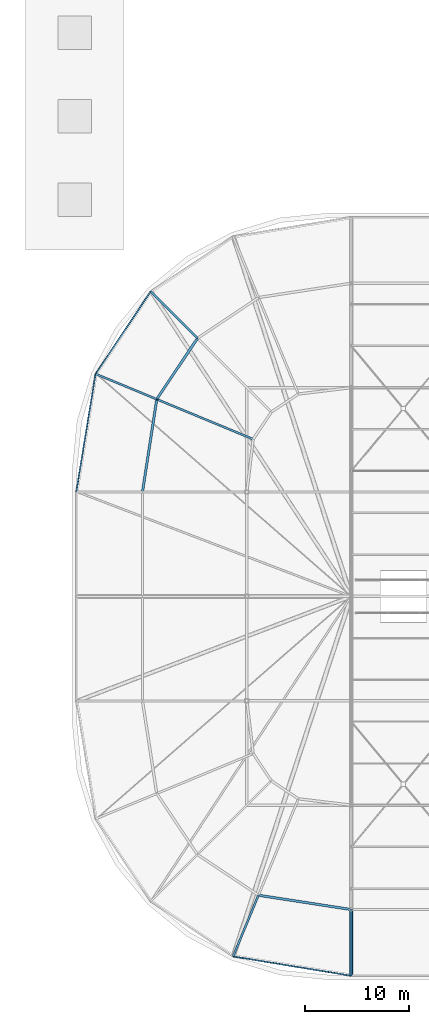
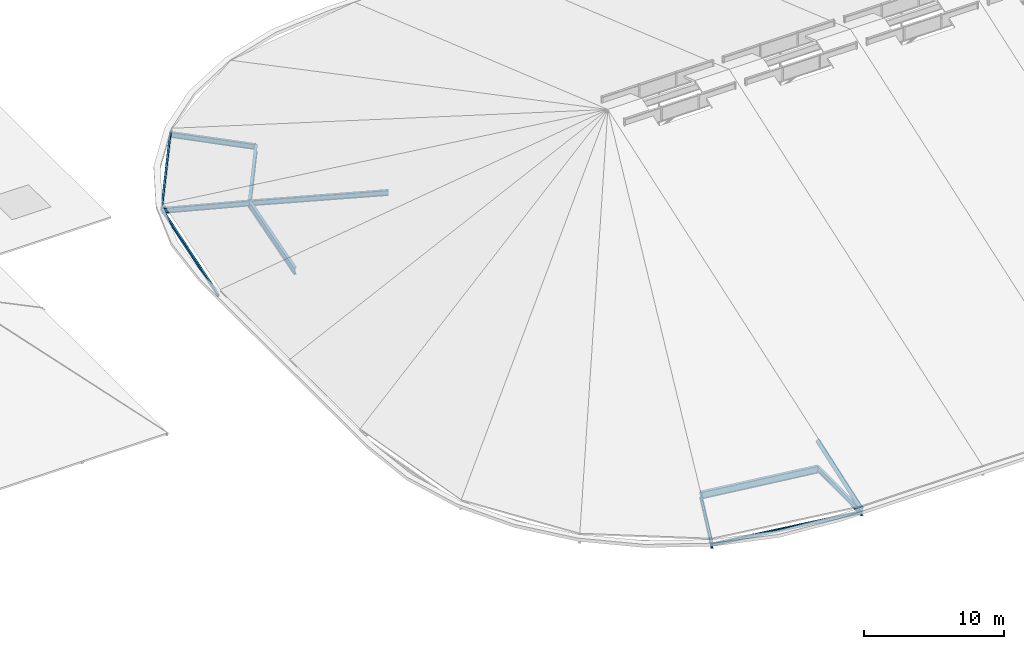
# One storey, part 8 of 93: 11 beams, 1 member.
"""IFC4 building model written with IfcOpenShell, lengths in metres."""

from ifc_helpers import new_model, si_unit, derived_unit, direction, frame, origin, origin_2d_with_axis, place, context, subcontext, project, spatial, hollow_rectangle, hollow_circle, i_section, extrude, material, material_profile, profile_set, type_object, element, save


model = new_model("IFC4")

# Units and contexts
model_context = context("Model", 3, precision=1e-05, world=origin(), true_north=direction((0.0, 1.0)))
body_context = subcontext(model_context, "Body", "Model", "MODEL_VIEW")
ifc_project = project(units=[si_unit("LENGTHUNIT", "METRE"), si_unit("AREAUNIT", "SQUARE_METRE"), si_unit("VOLUMEUNIT", "CUBIC_METRE"), si_unit("PLANEANGLEUNIT", "RADIAN"), si_unit("MASSUNIT", "GRAM", prefix="KILO"), derived_unit("THERMALTRANSMITTANCEUNIT", [(si_unit("POWERUNIT", "WATT"), 1), (si_unit("LENGTHUNIT", "METRE"), -2), (si_unit("THERMODYNAMICTEMPERATUREUNIT", "KELVIN"), -1)])], contexts=[model_context])

# Site, building, storey
site_placement = place(None, origin())
site = spatial("IfcSite", under=ifc_project, at=site_placement, CompositionType="ELEMENT")
building_placement = place(site_placement, origin())
building = spatial("IfcBuilding", under=site, at=building_placement, Name="Cinnabar Yard Market Hall", CompositionType="ELEMENT")
storey_placement = place(building_placement, frame((0.0, 0.0, 23.800048828125)))
storey = spatial("IfcBuildingStorey", under=building, at=storey_placement, Name="ROOF", CompositionType="ELEMENT", Elevation=23.800048828125)

# Beams
ifc_material_1 = material(Name="Steel Grade 350 (350 MPa)", Category="steel")
ifc_material_profile_1 = material_profile(ifc_material_1, i_section(OverallWidth=0.22900390625, OverallDepth=0.611572265625, WebThickness=0.011962890625, FlangeThickness=0.01953125, FilletRadius=0.013916015625, at=origin_2d_with_axis()), Name="610UB125")
ifc_profile_set_1 = profile_set([ifc_material_profile_1], Name="Steel Grade 350 (350 MPa)")
beam_type_1 = type_object("IfcBeamType", Name="BM-B01E", PredefinedType="BEAM", material=ifc_profile_set_1)
beam_1_placement = place(storey_placement, frame((77.11181640625, 15.3701171875, -9.705810546875), z_axis=(0.988326460719, -0.152350933845, 0.0), x_axis=(0.152350933845, 0.988326460719, 0.0)))
element("IfcBeam", 1, at=beam_1_placement, inside=storey, type_object=beam_type_1, Name="Outer Corner Ring SW 00458", PredefinedType="BEAM", context=body_context, shape_type="SweptSolid", body=[
    extrude(i_section(OverallWidth=0.22900390625, OverallDepth=0.611572265625, WebThickness=0.011962890625, FlangeThickness=0.01953125, FilletRadius=0.013916015625, at=origin_2d_with_axis()), origin(), (0.0, 0.0, 1.0), 8.9931640625),
])
beam_2_placement = place(storey_placement, frame((71.272216796875, 68.727783203125, -9.705810546875), z_axis=(-0.555590303377, -0.831456201368, 0.0), x_axis=(0.831456201368, -0.555590303377, 0.0)))
element("IfcBeam", 2, at=beam_2_placement, inside=storey, type_object=beam_type_1, Name="Outer Corner Ring NW 00509", PredefinedType="BEAM", context=body_context, shape_type="SweptSolid", body=[
    extrude(i_section(OverallWidth=0.22900390625, OverallDepth=0.611572265625, WebThickness=0.011962890625, FlangeThickness=0.01953125, FilletRadius=0.013916015625, at=origin_2d_with_axis()), origin(), (0.0, 0.0, 1.0), 7.0234375),
])
beam_3_placement = place(storey_placement, frame((67.3701171875, 62.88818359375, -9.705810546875), z_axis=(-0.152350933845, -0.988326460719, 0.0), x_axis=(0.988326460719, -0.152350933845, 0.0)))
element("IfcBeam", 3, at=beam_3_placement, inside=storey, type_object=beam_type_1, Name="Outer Corner Ring NW 00512", PredefinedType="BEAM", context=body_context, shape_type="SweptSolid", body=[
    extrude(i_section(OverallWidth=0.22900390625, OverallDepth=0.611572265625, WebThickness=0.011962890625, FlangeThickness=0.01953125, FilletRadius=0.013916015625, at=origin_2d_with_axis()), origin(), (0.0, 0.0, 1.0), 8.9931640625),
])
ifc_material_2 = material(Name="Steel Grade 300 (300 MPa)", Category="steel")
ifc_material_profile_2 = material_profile(ifc_material_2, i_section(OverallWidth=0.19091796875, OverallDepth=0.46044921875, WebThickness=0.010009765625, FlangeThickness=0.01611328125, FilletRadius=0.011474609375, at=origin_2d_with_axis()), Name="460UB82.1")
ifc_profile_set_2 = profile_set([ifc_material_profile_2], Name="Steel Grade 300 (300 MPa)")
beam_type_2 = type_object("IfcBeamType", Name="BM-B04", PredefinedType="BEAM", material=ifc_profile_set_2)
beam_4_placement = place(storey_placement, frame((76.60888671875, 59.0615234375, -9.630126953125), z_axis=(-0.923885312463, 0.382669478028, 0.0), x_axis=(-0.382669478028, -0.923885312463, 0.0)))
element("IfcBeam", 4, at=beam_4_placement, inside=storey, type_object=beam_type_2, Name="Corner Backspan Girder NW-6 00518", PredefinedType="BEAM", context=body_context, shape_type="SweptSolid", body=[
    extrude(i_section(OverallWidth=0.19091796875, OverallDepth=0.46044921875, WebThickness=0.010009765625, FlangeThickness=0.01611328125, FilletRadius=0.011474609375, at=origin_2d_with_axis()), origin(), (0.0, 0.0, 1.0), 10.0),
])
ifc_material_profile_3 = material_profile(ifc_material_2, i_section(OverallWidth=0.19091796875, OverallDepth=0.46044921875, WebThickness=0.010009765625, FlangeThickness=0.01611328125, FilletRadius=0.011474609375, at=origin_2d_with_axis()), Name="460UB82.1")
ifc_profile_set_3 = profile_set([ifc_material_profile_3], Name="Steel Grade 300 (300 MPa)")
beam_type_3 = type_object("IfcBeamType", Name="BM-RF02E", PredefinedType="BEAM", material=ifc_profile_set_3)
for number, where, z_axis, x_axis, name in (
    (5, (77.11181640625, 15.3701171875, -9.630126953125), (-0.382659096931, -0.923803285729, -0.012629521412), (0.923876970079, -0.382689618566, 0.0), "Corner Chhajja Cantilever SW-6 00465"),
    (6, (71.272216796875, 68.727783203125, -9.630126953125), (-0.707050387112, 0.707050387112, -0.012629337634), (-0.707106781187, -0.707106781187, 0.0), "Corner Chhajja Cantilever NW-4 00517"),
    (7, (67.3701171875, 62.88818359375, -9.630126953125), (-0.923803285729, 0.382659096931, -0.012629521412), (-0.382689618566, -0.923876970079, 0.0), "Corner Chhajja Cantilever NW-6 00519"),
    (8, (86.0, 14.0, -9.630126953125), (0.0, -0.999920245484, -0.012629436656), (1.0, 0.0, 0.0), "South Chhajja Cantilever Rafter 00521"),
):
    element("IfcBeam", number, at=place(storey_placement, frame(where, z_axis=z_axis, x_axis=x_axis)), inside=storey, type_object=beam_type_3, Name=name, PredefinedType="BEAM", context=body_context, shape_type="SweptSolid", body=[
        extrude(i_section(OverallWidth=0.19091796875, OverallDepth=0.46044921875, WebThickness=0.010009765625, FlangeThickness=0.01611328125, FilletRadius=0.011474609375, at=origin_2d_with_axis()), origin(), (0.0, 0.0, 1.0), 6.340576171875),
    ])
ifc_material_3 = material(Name="Cold-formed steel C350L0", Category="steel")
ifc_material_profile_4 = material_profile(ifc_material_3, hollow_rectangle(XDim=0.14990234375, YDim=0.25, WallThickness=0.009033203125, InnerFilletRadius=0.009033203125, OuterFilletRadius=0.01806640625, at=origin_2d_with_axis()), Name="250x150x9.0RHS")
ifc_profile_set_4 = profile_set([ifc_material_profile_4], Name="Cold-formed steel C350L0")
beam_type_4 = type_object("IfcBeamType", Name="BM-SP01E", PredefinedType="SPANDREL", material=ifc_profile_set_4)
beam_5_placement = place(storey_placement, frame((74.685546875, 9.5126953125, -9.60498046875), z_axis=(0.986856127469, -0.161601310879, 0.0), x_axis=(0.161601310879, 0.986856127469, 0.0)))
element("IfcBeam", 9, at=beam_5_placement, inside=storey, type_object=beam_type_4, Name="Eave Fascia Ring SW 00459", PredefinedType="SPANDREL", context=body_context, shape_type="SweptSolid", body=[
    extrude(hollow_rectangle(XDim=0.14990234375, YDim=0.25, WallThickness=0.009033203125, InnerFilletRadius=0.009033203125, OuterFilletRadius=0.01806640625, at=origin_2d_with_axis()), origin(), (0.0, 0.0, 1.0), 11.465087890625),
])
beam_6_placement = place(storey_placement, frame((66.7890625, 73.2109375, -9.60498046875), z_axis=(-0.555577877471, -0.831464504392, 0.0), x_axis=(0.831464504392, -0.555577877471, 0.0)))
element("IfcBeam", 10, at=beam_6_placement, inside=storey, type_object=beam_type_4, Name="Eave Fascia Ring NW 00510", PredefinedType="SPANDREL", context=body_context, shape_type="SweptSolid", body=[
    extrude(hollow_rectangle(XDim=0.14990234375, YDim=0.25, WallThickness=0.009033203125, InnerFilletRadius=0.009033203125, OuterFilletRadius=0.01806640625, at=origin_2d_with_axis()), origin(), (0.0, 0.0, 1.0), 9.4970703125),
])
beam_7_placement = place(storey_placement, frame((61.5126953125, 65.314453125, -9.60498046875), z_axis=(-0.161601310879, -0.986856127469, 0.0), x_axis=(0.986856127469, -0.161601310879, 0.0)))
element("IfcBeam", 11, at=beam_7_placement, inside=storey, type_object=beam_type_4, Name="Eave Fascia Ring NW 00513", PredefinedType="SPANDREL", context=body_context, shape_type="SweptSolid", body=[
    extrude(hollow_rectangle(XDim=0.14990234375, YDim=0.25, WallThickness=0.009033203125, InnerFilletRadius=0.009033203125, OuterFilletRadius=0.01806640625, at=origin_2d_with_axis()), origin(), (0.0, 0.0, 1.0), 11.465087890625),
])

# Member
ifc_material_profile_5 = material_profile(ifc_material_3, hollow_circle(Radius=0.177734375, WallThickness=0.0126953125, at=origin_2d_with_axis()), Name="355.6x12.7CHS")
ifc_profile_set_5 = profile_set([ifc_material_profile_5], Name="Cold-formed steel C350L0")
member_type = type_object("IfcMemberType", Name="MB-TC01E", PredefinedType="CHORD", material=ifc_profile_set_5)
member_placement = place(storey_placement, frame((86.0, 14.0, -7.241943359375), z_axis=(0.0, -0.944416495302, -0.328751400609), x_axis=(1.0, 0.0, 0.0)))
element("IfcMember", 12, at=member_placement, inside=storey, type_object=member_type, Name="South Sloped Eave Rafter 86", PredefinedType="CHORD", context=body_context, shape_type="SweptSolid", body=[
    extrude(hollow_circle(Radius=0.177734375, WallThickness=0.0126953125, at=origin_2d_with_axis()), origin(), (0.0, 0.0, 1.0), 6.56494140625),
])

save(model, "model.ifc")
